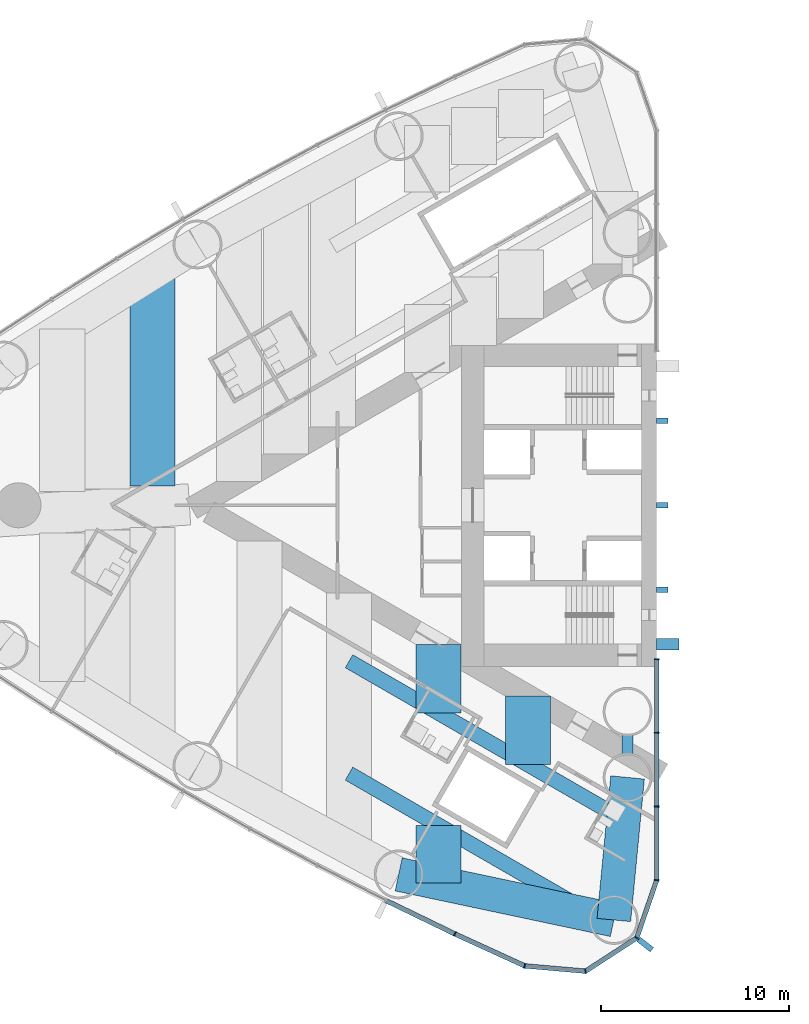
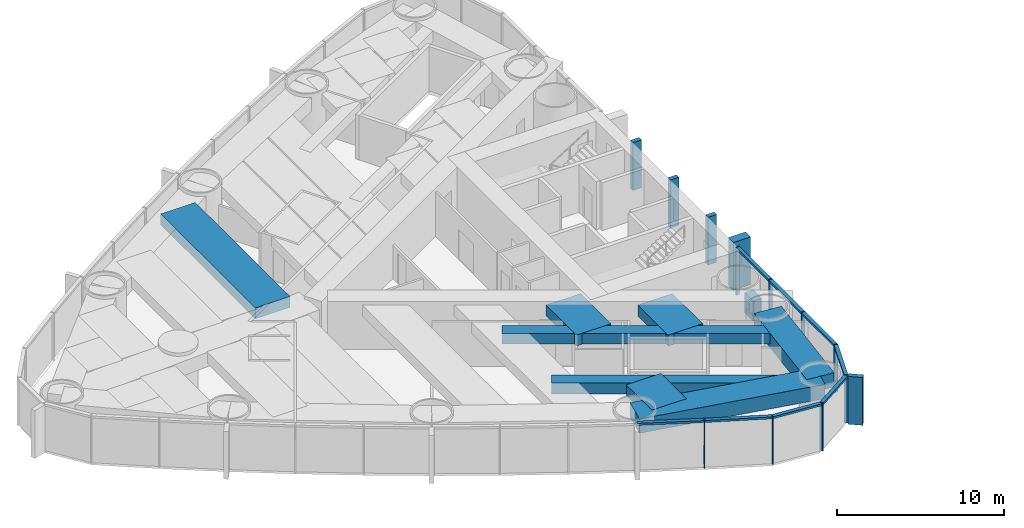
# One storey, part 3 of 19: 21 members, 9 beams, 1 element without a shape of its own.
"""IFC4 building model written with IfcOpenShell, lengths in metres."""

import ifcopenshell
import ifcopenshell.guid

model = None  # the IFC model being written
_history = None  # IfcOwnerHistory: only IFC2X3 demands one
_inside = {}  # id of a spatial element -> (the spatial element, [elements in it])
_under = {}  # id of a project, library or spatial element -> (it, [spatial elements below it])
_declared = {}  # id of a project -> (the project, [libraries it declares])
_typed = {}  # id of a type object -> (the type object, [elements of that type])
_made_of = {}  # id of a material, layer set ... -> (it, [elements and type objects made of it])


def new_model(schema):
    """Start an empty IFC model of exactly this schema.

    Asked for "IFC4X3", IfcOpenShell would pick the latest addendum, in which some entities
    have other attributes; the version numbers below select the first issue.
    IFC2X3 requires an IfcOwnerHistory on every rooted entity: one is made here for all.
    """
    global model, _history
    if schema == "IFC4X3":
        model = ifcopenshell.file(schema_version=(4, 3, 0, 0))
    else:
        model = ifcopenshell.file(schema=schema)
    _inside.clear()
    _under.clear()
    _declared.clear()
    _typed.clear()
    _made_of.clear()
    _history = None
    if model.schema == "IFC2X3":
        org = make("IfcOrganization", Name="unknown")
        user = make(
            "IfcPersonAndOrganization",
            ThePerson=make("IfcPerson", FamilyName="unknown"),
            TheOrganization=org,
        )
        app = make(
            "IfcApplication",
            ApplicationDeveloper=org,
            Version="unknown",
            ApplicationFullName="unknown",
            ApplicationIdentifier="unknown",
        )
        _history = make(
            "IfcOwnerHistory",
            OwningUser=user,
            OwningApplication=app,
            ChangeAction="ADDED",
            CreationDate=0,
        )
    return model


def make(cls, **values):
    """One entity of the class cls with the attributes given. An attribute that is None is left unset."""
    return model.create_entity(
        cls, **{name: value for name, value in values.items() if value is not None}
    )


def rooted(cls, **values):
    """An entity with a GlobalId (a new one), such as an element, a storey or a relation."""
    return make(cls, GlobalId=ifcopenshell.guid.new(), OwnerHistory=_history, **values)


def si_unit(unit_type, name, prefix=None):
    """IfcSIUnit, for example si_unit("LENGTHUNIT", "METRE", prefix="MILLI")."""
    return make("IfcSIUnit", UnitType=unit_type, Prefix=prefix, Name=name)


def assignment(units):
    """IfcUnitAssignment: the units of a project."""
    return None if units is None else make("IfcUnitAssignment", Units=units)


def point(xyz):
    """IfcCartesianPoint."""
    return None if xyz is None else make("IfcCartesianPoint", Coordinates=xyz)


def direction(xyz):
    """IfcDirection."""
    return None if xyz is None else make("IfcDirection", DirectionRatios=xyz)


def frame(location, z_axis=None, x_axis=None):
    """IfcAxis2Placement3D, a coordinate frame: its origin and axes. An axis left out is left unset."""
    return make(
        "IfcAxis2Placement3D",
        Location=point(location),
        Axis=direction(z_axis),
        RefDirection=direction(x_axis),
    )


def frame_2d(location, x_axis=None):
    """IfcAxis2Placement2D, a coordinate frame in the plane: its origin and x axis."""
    return make(
        "IfcAxis2Placement2D", Location=point(location), RefDirection=direction(x_axis)
    )


def origin():
    """The frame at (0, 0, 0) with its axes left unset."""
    return frame((0.0, 0.0, 0.0))


def origin_2d():
    """The frame at (0, 0) in the plane with its x axis left unset."""
    return frame_2d((0.0, 0.0))


def place(relative_to, where):
    """IfcLocalPlacement: puts the frame where relative to a parent placement (None: the world)."""
    return make(
        "IfcLocalPlacement", PlacementRelTo=relative_to, RelativePlacement=where
    )


def context(
    kind, dimensions, precision=None, world=None, true_north=None, identifier=None
):
    """IfcGeometricRepresentationContext, for example the 3D "Model" context."""
    return make(
        "IfcGeometricRepresentationContext",
        ContextIdentifier=identifier,
        ContextType=kind,
        CoordinateSpaceDimension=dimensions,
        Precision=precision,
        WorldCoordinateSystem=world,
        TrueNorth=true_north,
    )


def subcontext(parent, identifier, kind, view, scale=None):
    """IfcGeometricRepresentationSubContext, for example "Body" below "Model"."""
    return make(
        "IfcGeometricRepresentationSubContext",
        ContextIdentifier=identifier,
        ContextType=kind,
        ParentContext=parent,
        TargetScale=scale,
        TargetView=view,
    )


def project(units=None, contexts=None):
    """IfcProject with its units and contexts."""
    return rooted(
        "IfcProject",
        Name="project",
        RepresentationContexts=contexts,
        UnitsInContext=assignment(units),
    )


def spatial(cls, under=None, at=None, **own):
    """A site, building, storey or space (cls), placed at a placement, below another one or the project."""
    s = rooted(cls, ObjectPlacement=at, **own)
    if under is not None:
        _under.setdefault(under.id(), (under, []))[1].append(s)
    return s


def profile(cls, at=None, kind="AREA", **sizes):
    """A parametric profile (cls). Its sizes go by their IFC names, for example OverallWidth=200.0."""
    return make(cls, ProfileType=kind, Position=at, **sizes)


def rectangle(**sizes):
    """IfcRectangleProfileDef."""
    return profile("IfcRectangleProfileDef", **sizes)


def hollow_rectangle(**sizes):
    """IfcRectangleHollowProfileDef."""
    return profile("IfcRectangleHollowProfileDef", **sizes)


def extrude(swept, where, along, depth):
    """IfcExtrudedAreaSolid: the profile swept, set in the frame where, extruded along a direction by depth."""
    return make(
        "IfcExtrudedAreaSolid",
        SweptArea=swept,
        Position=where,
        ExtrudedDirection=direction(along),
        Depth=depth,
    )


def shape(context_of_items, identifier, shape_type, items):
    """IfcShapeRepresentation: the items that make up one representation, for example the "Body"."""
    return make(
        "IfcShapeRepresentation",
        ContextOfItems=context_of_items,
        RepresentationIdentifier=identifier,
        RepresentationType=shape_type,
        Items=items,
    )


def material(Name=None, Category=None):
    """IfcMaterial."""
    return make("IfcMaterial", Name=Name, Category=Category)


def material_profile(
    of_material, cross_section, Name=None, Category=None, Priority=None
):
    """IfcMaterialProfile: a cross section and its material."""
    return make(
        "IfcMaterialProfile",
        Name=Name,
        Material=of_material,
        Profile=cross_section,
        Priority=Priority,
        Category=Category,
    )


def profile_set(profiles, Name=None, composite=None):
    """IfcMaterialProfileSet."""
    return make(
        "IfcMaterialProfileSet",
        Name=Name,
        MaterialProfiles=profiles,
        CompositeProfile=composite,
    )


def made_of(thing, what):
    """Note that an element or type object is made of a material, layer set ...; save() writes the relation."""
    if what is not None:
        _made_of.setdefault(what.id(), (what, []))[1].append(thing)
    return thing


def type_object(cls, material=None, **own):
    """A type object (cls), such as IfcWallType, which elements share."""
    return made_of(rooted(cls, **own), material)


def element(
    cls,
    number,
    at=None,
    inside=None,
    cuts=None,
    type_object=None,
    material=None,
    context=None,
    identifier="Body",
    shape_type=None,
    held_by="IfcProductDefinitionShape",
    body=None,
    shapes=None,
    **own,
):
    """One element of the class cls, such as IfcWall. Its Tag is "e" and its number.

    at: its placement. inside: the storey or other place that contains it. cuts: it is an
    opening in that element (IfcRelVoidsElement). A single representation is given by context,
    identifier, shape_type and body (its items); several are given by shapes. held_by: the class
    of the entity that holds the representations. save() writes the other relations.
    """
    e = rooted(cls, Tag="e%d" % number, ObjectPlacement=at, **own)
    if body is not None:
        shapes = [shape(context, identifier, shape_type, body)]
    if shapes is not None:
        e.Representation = make(held_by, Representations=shapes)
    if inside is not None:
        _inside.setdefault(inside.id(), (inside, []))[1].append(e)
    if cuts is not None:
        rooted(
            "IfcRelVoidsElement", RelatingBuildingElement=cuts, RelatedOpeningElement=e
        )
    if type_object is not None:
        _typed.setdefault(type_object.id(), (type_object, []))[1].append(e)
    return made_of(e, material)


def aggregate(whole, parts):
    """IfcRelAggregates: a whole, such as a stair, and the parts it consists of."""
    return rooted("IfcRelAggregates", RelatingObject=whole, RelatedObjects=parts)


def save(model, path):
    """Write the relations noted so far, then the file.

    IfcRelAggregates (storeys below a building ...), IfcRelContainedInSpatialStructure (elements
    in a storey), IfcRelDefinesByType, IfcRelAssociatesMaterial and IfcRelDeclares: one each for
    every whole, place, type object, material and project.
    """
    for whole, parts in _under.values():
        aggregate(whole, parts)
    for where, things in _inside.values():
        rooted(
            "IfcRelContainedInSpatialStructure",
            RelatedElements=things,
            RelatingStructure=where,
        )
    for kind, things in _typed.values():
        rooted("IfcRelDefinesByType", RelatedObjects=things, RelatingType=kind)
    for what, things in _made_of.values():
        rooted("IfcRelAssociatesMaterial", RelatedObjects=things, RelatingMaterial=what)
    for by, libraries in _declared.values():
        rooted("IfcRelDeclares", RelatingContext=by, RelatedDefinitions=libraries)
    model.write(path)


model = new_model("IFC4")

# Units and contexts
model_context = context("Model", 3, precision=1e-05, world=origin(), true_north=direction((0.0, 1.0)))
body_context = subcontext(model_context, "Body", "Model", "MODEL_VIEW")
ifc_project = project(units=[si_unit("LENGTHUNIT", "METRE"), si_unit("AREAUNIT", "SQUARE_METRE"), si_unit("VOLUMEUNIT", "CUBIC_METRE"), si_unit("PLANEANGLEUNIT", "RADIAN"), si_unit("MASSUNIT", "GRAM", prefix="KILO")], contexts=[model_context])

# Site, building, storey
site_placement = place(None, origin())
site = spatial("IfcSite", under=ifc_project, at=site_placement, CompositionType="ELEMENT")
building_placement = place(site_placement, origin())
building = spatial("IfcBuilding", under=site, at=building_placement, Name="Lancet Gate Hotel", CompositionType="ELEMENT")
storey_placement = place(building_placement, frame((0.0, 0.0, 111.60009765625)))
storey = spatial("IfcBuildingStorey", under=building, at=storey_placement, Name="L29", CompositionType="ELEMENT", Elevation=111.60009765625)

# Curtain wall, members
ifc_material_1 = material(Name="Aluminium curtain wall", Category="aluminium")
curtain_wall_type = type_object("IfcCurtainWallType", Name="Tower unitised curtain wall", PredefinedType="USERDEFINED", material=ifc_material_1)
curtain_wall_placement = place(storey_placement, origin())
curtain_wall = element("IfcCurtainWall", 1, at=curtain_wall_placement, inside=storey, type_object=curtain_wall_type, Name="T1 L29 curtain wall 1", ObjectType="UNITISED CURTAIN WALL", PredefinedType="USERDEFINED")
ifc_material_2 = material(Name="Aluminium mullion", Category="aluminium")
ifc_material_profile_1 = material_profile(ifc_material_2, rectangle(XDim=0.06494140625, YDim=0.25, at=origin_2d()), Name="MULLION 65x250")
ifc_profile_set_1 = profile_set([ifc_material_profile_1], Name="Aluminium mullion")
member_type_1 = type_object("IfcMemberType", Name="Aluminium mullion 65x250", PredefinedType="MULLION", material=ifc_profile_set_1)
member_1_placement = place(storey_placement, frame((-38.25244140625, -22.83642578125, 0.0), z_axis=(0.0, 0.0, 1.0), x_axis=(0.904719609771, -0.426007544178, 0.0)))
member_1 = element("IfcMember", 2, at=member_1_placement, type_object=member_type_1, Name="T1 L29 curtain wall 1 mullion 29", PredefinedType="MULLION", context=body_context, shape_type="SweptSolid", body=[
    extrude(rectangle(XDim=0.06494140625, YDim=0.25, at=origin_2d()), origin(), (0.0, 0.0, 1.0), 3.5),
])
member_2_placement = place(storey_placement, frame((-34.5322265625, -24.53955078125, 0.0), z_axis=(0.0, 0.0, 1.0), x_axis=(0.961653318232, -0.27426792655, 0.0)))
member_2 = element("IfcMember", 3, at=member_2_placement, type_object=member_type_1, Name="T1 L29 curtain wall 1 mullion 30", PredefinedType="MULLION", context=body_context, shape_type="SweptSolid", body=[
    extrude(rectangle(XDim=0.06494140625, YDim=0.25, at=origin_2d()), origin(), (0.0, 0.0, 1.0), 3.5),
])
member_3_placement = place(storey_placement, frame((-31.289306640625, -24.822265625, 0.0), z_axis=(0.0, 0.0, 1.0), x_axis=(0.970242142288, 0.242136707934, 0.0)))
member_3 = element("IfcMember", 4, at=member_3_placement, type_object=member_type_1, Name="T1 L29 curtain wall 1 mullion 31", PredefinedType="MULLION", context=body_context, shape_type="SweptSolid", body=[
    extrude(rectangle(XDim=0.06494140625, YDim=0.25, at=origin_2d()), origin(), (0.0, 0.0, 1.0), 3.5),
])
member_4_placement = place(storey_placement, frame((-28.5595703125, -23.049072265625, 0.0), z_axis=(0.0, 0.0, 1.0), x_axis=(0.615574240878, 0.788078900851, 0.0)))
member_4 = element("IfcMember", 5, at=member_4_placement, type_object=member_type_1, Name="T1 L29 curtain wall 1 mullion 32", PredefinedType="MULLION", context=body_context, shape_type="SweptSolid", body=[
    extrude(rectangle(XDim=0.06494140625, YDim=0.25, at=origin_2d()), origin(), (0.0, 0.0, 1.0), 3.5),
])
member_5_placement = place(storey_placement, frame((-27.5, -19.97119140625, 0.0), z_axis=(0.0, 0.0, 1.0), x_axis=(0.149634446211, 0.988741388082, 0.0)))
member_5 = element("IfcMember", 6, at=member_5_placement, type_object=member_type_1, Name="T1 L29 curtain wall 1 mullion 33", PredefinedType="MULLION", context=body_context, shape_type="SweptSolid", body=[
    extrude(rectangle(XDim=0.06494140625, YDim=0.25, at=origin_2d()), origin(), (0.0, 0.0, 1.0), 3.5),
])
member_6_placement = place(storey_placement, frame((-27.5, -16.04736328125, 0.0), z_axis=(0.0, 0.0, 1.0), x_axis=(0.0, 1.0, 0.0)))
member_6 = element("IfcMember", 7, at=member_6_placement, type_object=member_type_1, Name="T1 L29 curtain wall 1 mullion 34", PredefinedType="MULLION", context=body_context, shape_type="SweptSolid", body=[
    extrude(rectangle(XDim=0.06494140625, YDim=0.25, at=origin_2d()), origin(), (0.0, 0.0, 1.0), 3.5),
])
member_7_placement = place(storey_placement, frame((-27.5, -12.123779296875, 0.0), z_axis=(0.0, 0.0, 1.0), x_axis=(0.0, 1.0, 0.0)))
member_7 = element("IfcMember", 8, at=member_7_placement, type_object=member_type_1, Name="T1 L29 curtain wall 1 mullion 35", PredefinedType="MULLION", context=body_context, shape_type="SweptSolid", body=[
    extrude(rectangle(XDim=0.06494140625, YDim=0.25, at=origin_2d()), origin(), (0.0, 0.0, 1.0), 3.5),
])
member_8_placement = place(storey_placement, frame((-27.5, -8.199951171875, 0.0), z_axis=(0.0, 0.0, 1.0), x_axis=(0.0, 1.0, 0.0)))
member_8 = element("IfcMember", 9, at=member_8_placement, type_object=member_type_1, Name="T1 L29 curtain wall 1 mullion 36", PredefinedType="MULLION", context=body_context, shape_type="SweptSolid", body=[
    extrude(rectangle(XDim=0.06494140625, YDim=0.25, at=origin_2d()), origin(), (0.0, 0.0, 1.0), 3.5),
])
ifc_material_3 = material(Name="Aluminium transom", Category="aluminium")
ifc_material_profile_2 = material_profile(ifc_material_3, rectangle(XDim=0.25, YDim=0.14990234375, at=origin_2d()), Name="TRANSOM 250x150")
ifc_profile_set_2 = profile_set([ifc_material_profile_2], Name="Aluminium transom")
member_type_2 = type_object("IfcMemberType", Name="Aluminium transom 250x150", PredefinedType="USERDEFINED", material=ifc_profile_set_2)
member_9_placement = place(storey_placement, frame((-41.906005859375, -21.067626953125, 3.4248046875), z_axis=(0.900065677074, -0.435754262117, 0.0), x_axis=(0.435754262117, 0.900065677074, 0.0)))
member_9 = element("IfcMember", 10, at=member_9_placement, type_object=member_type_2, Name="T1 L29 curtain wall 1 transom 28", ObjectType="TRANSOM", PredefinedType="USERDEFINED", context=body_context, shape_type="SweptSolid", body=[
    extrude(rectangle(XDim=0.25, YDim=0.14990234375, at=origin_2d()), origin(), (0.0, 0.0, 1.0), 4.026611328125),
])
member_10_placement = place(storey_placement, frame((-38.222900390625, -22.849853515625, 3.4248046875), z_axis=(0.909252284196, -0.416245460857, 0.0), x_axis=(0.416245460857, 0.909252284196, 0.0)))
member_10 = element("IfcMember", 11, at=member_10_placement, type_object=member_type_2, Name="T1 L29 curtain wall 1 transom 29", ObjectType="TRANSOM", PredefinedType="USERDEFINED", context=body_context, shape_type="SweptSolid", body=[
    extrude(rectangle(XDim=0.25, YDim=0.14990234375, at=origin_2d()), origin(), (0.0, 0.0, 1.0), 4.026611328125),
])
member_11_placement = place(storey_placement, frame((-34.499755859375, -24.542236328125, 3.4248046875), z_axis=(0.996213545522, -0.086940046686, 0.0), x_axis=(0.086940046686, 0.996213545522, 0.0)))
member_11 = element("IfcMember", 12, at=member_11_placement, type_object=member_type_2, Name="T1 L29 curtain wall 1 transom 30", ObjectType="TRANSOM", PredefinedType="USERDEFINED", context=body_context, shape_type="SweptSolid", body=[
    extrude(rectangle(XDim=0.25, YDim=0.14990234375, at=origin_2d()), origin(), (0.0, 0.0, 1.0), 3.18994140625),
])
member_12_placement = place(storey_placement, frame((-31.261962890625, -24.8046875, 3.4248046875), z_axis=(0.838550259452, 0.544824249068, 0.0), x_axis=(-0.544824249068, 0.838550259452, 0.0)))
member_12 = element("IfcMember", 13, at=member_12_placement, type_object=member_type_2, Name="T1 L29 curtain wall 1 transom 31", ObjectType="TRANSOM", PredefinedType="USERDEFINED", context=body_context, shape_type="SweptSolid", body=[
    extrude(rectangle(XDim=0.25, YDim=0.14990234375, at=origin_2d()), origin(), (0.0, 0.0, 1.0), 3.190185546875),
])
member_13_placement = place(storey_placement, frame((-28.549072265625, -23.018310546875, 3.4248046875), z_axis=(0.32553312754, 0.945530635609, 0.0), x_axis=(-0.945530635609, 0.32553312754, 0.0)))
member_13 = element("IfcMember", 14, at=member_13_placement, type_object=member_type_2, Name="T1 L29 curtain wall 1 transom 32", ObjectType="TRANSOM", PredefinedType="USERDEFINED", context=body_context, shape_type="SweptSolid", body=[
    extrude(rectangle(XDim=0.25, YDim=0.14990234375, at=origin_2d()), origin(), (0.0, 0.0, 1.0), 3.1904296875),
])
member_14_placement = place(storey_placement, frame((-27.5, -19.9384765625, 3.4248046875), z_axis=(0.0, 1.0, 0.0), x_axis=(-1.0, 0.0, 0.0)))
member_14 = element("IfcMember", 15, at=member_14_placement, type_object=member_type_2, Name="T1 L29 curtain wall 1 transom 33", ObjectType="TRANSOM", PredefinedType="USERDEFINED", context=body_context, shape_type="SweptSolid", body=[
    extrude(rectangle(XDim=0.25, YDim=0.14990234375, at=origin_2d()), origin(), (0.0, 0.0, 1.0), 3.858642578125),
])
member_15_placement = place(storey_placement, frame((-27.5, -16.014892578125, 3.4248046875), z_axis=(0.0, 1.0, 0.0), x_axis=(-1.0, 0.0, 0.0)))
member_15 = element("IfcMember", 16, at=member_15_placement, type_object=member_type_2, Name="T1 L29 curtain wall 1 transom 34", ObjectType="TRANSOM", PredefinedType="USERDEFINED", context=body_context, shape_type="SweptSolid", body=[
    extrude(rectangle(XDim=0.25, YDim=0.14990234375, at=origin_2d()), origin(), (0.0, 0.0, 1.0), 3.858642578125),
])
member_16_placement = place(storey_placement, frame((-27.5, -12.09130859375, 3.4248046875), z_axis=(0.0, 1.0, 0.0), x_axis=(-1.0, 0.0, 0.0)))
member_16 = element("IfcMember", 17, at=member_16_placement, type_object=member_type_2, Name="T1 L29 curtain wall 1 transom 35", ObjectType="TRANSOM", PredefinedType="USERDEFINED", context=body_context, shape_type="SweptSolid", body=[
    extrude(rectangle(XDim=0.25, YDim=0.14990234375, at=origin_2d()), origin(), (0.0, 0.0, 1.0), 3.85888671875),
])

# Beams
ifc_material_4 = material(Name="Concrete C50/60", Category="concrete")
ifc_material_profile_3 = material_profile(ifc_material_4, rectangle(XDim=1.800048828125, YDim=1.050048828125, at=origin_2d()), Name="RC 1800x1050")
ifc_profile_set_3 = profile_set([ifc_material_profile_3], Name="Concrete C50/60")
beam_type_1 = type_object("IfcBeamType", Name="Edge beam RC 1800x1050", PredefinedType="SPANDREL", material=ifc_profile_set_3)
beam_1_placement = place(storey_placement, frame((-41.244873046875, -19.665771484375, 2.724853515625), z_axis=(0.978282156247, -0.207277646573, 0.0), x_axis=(0.207277646573, 0.978282156247, 0.0)))
element("IfcBeam", 18, at=beam_1_placement, inside=storey, type_object=beam_type_1, Name="T1 edge beam EB1 L29", PredefinedType="SPANDREL", context=body_context, shape_type="SweptSolid", body=[
    extrude(rectangle(XDim=1.800048828125, YDim=1.050048828125, at=origin_2d()), origin(), (0.0, 0.0, 1.0), 11.71826171875),
])
beam_2_placement = place(storey_placement, frame((-29.050048828125, -14.5, 2.724853515625), z_axis=(-0.095802643786, -0.995400348324, 0.0), x_axis=(0.995400348324, -0.095802643786, 0.0)))
element("IfcBeam", 19, at=beam_2_placement, inside=storey, type_object=beam_type_1, Name="T1 edge beam EB1 L29", PredefinedType="SPANDREL", context=body_context, shape_type="SweptSolid", body=[
    extrude(rectangle(XDim=1.800048828125, YDim=1.050048828125, at=origin_2d()), origin(), (0.0, 0.0, 1.0), 7.6298828125),
])

# Member
ifc_material_5 = material(Name="Concrete C60/75", Category="concrete")
ifc_material_profile_4 = material_profile(ifc_material_5, rectangle(XDim=0.60009765625, YDim=1.199951171875, at=origin_2d()), Name="FIN 600x1200")
ifc_profile_set_4 = profile_set([ifc_material_profile_4], Name="Concrete C60/75")
member_type_3 = type_object("IfcMemberType", Name="Exposed concrete buttress pilaster 600x1200", PredefinedType="USERDEFINED", material=ifc_profile_set_4)
member_17_placement = place(storey_placement, frame((-26.909912109375, -7.39990234375, 0.0), z_axis=(0.0, 0.0, 1.0), x_axis=(0.0, 1.0, 0.0)))
element("IfcMember", 20, at=member_17_placement, inside=storey, type_object=member_type_3, Name="T1 buttress pilaster N L29", ObjectType="FIN", PredefinedType="USERDEFINED", context=body_context, shape_type="SweptSolid", body=[
    extrude(rectangle(XDim=0.60009765625, YDim=1.199951171875, at=origin_2d()), origin(), (0.0, 0.0, 1.0), 3.5),
])

ifc_material_6 = material(Name="Precast concrete C50/60", Category="concrete")
ifc_material_profile_5 = material_profile(ifc_material_6, rectangle(XDim=0.300048828125, YDim=0.89990234375, at=origin_2d()), Name="FIN 300x900")
ifc_profile_set_5 = profile_set([ifc_material_profile_5], Name="Precast concrete C50/60")
member_type_4 = type_object("IfcMemberType", Name="Exposed concrete fin 300x900", PredefinedType="USERDEFINED", material=ifc_profile_set_5)
member_18_placement = place(storey_placement, frame((-28.1064453125, -23.40283203125, 0.0), z_axis=(0.0, 0.0, 1.0), x_axis=(0.615574240878, 0.788078900851, 0.0)))
member_18 = element("IfcMember", 21, at=member_18_placement, type_object=member_type_4, Name="T1 L29 curtain wall 1 fin 32", ObjectType="FIN", PredefinedType="USERDEFINED", context=body_context, shape_type="SweptSolid", body=[
    extrude(rectangle(XDim=0.300048828125, YDim=0.89990234375, at=origin_2d()), origin(), (0.0, 0.0, 1.0), 3.5),
])

aggregate(curtain_wall, [member_1, member_2, member_3, member_4, member_18, member_5, member_6, member_7, member_8, member_9, member_10, member_11, member_12, member_13, member_14, member_15, member_16])

# Members
ifc_material_7 = material(Name="Concrete C60/75", Category="concrete")
ifc_material_profile_6 = material_profile(ifc_material_7, rectangle(XDim=0.300048828125, YDim=0.60009765625, at=origin_2d()), Name="FIN 300x600")
ifc_profile_set_6 = profile_set([ifc_material_profile_6], Name="Concrete C60/75")
member_type_5 = type_object("IfcMemberType", Name="Exposed concrete rib 300x600", PredefinedType="USERDEFINED", material=ifc_profile_set_6)
for number, where, z_axis, x_axis, name in (
    (22, (-27.2099609375, 4.5, 0.0), (0.0, 0.0, 1.0), (0.0, 1.0, 0.0), "T1 core rib 1 L29"),
    (23, (-27.2099609375, 0.0, 0.0), (0.0, 0.0, 1.0), (0.0, 1.0, 0.0), "T1 core rib 2 L29"),
    (24, (-27.2099609375, -4.5, 0.0), (0.0, 0.0, 1.0), (0.0, 1.0, 0.0), "T1 core rib 3 L29"),
):
    element("IfcMember", number, at=place(storey_placement, frame(where, z_axis=z_axis, x_axis=x_axis)), inside=storey, type_object=member_type_5, Name=name, ObjectType="FIN", PredefinedType="USERDEFINED", context=body_context, shape_type="SweptSolid", body=[
        extrude(rectangle(XDim=0.300048828125, YDim=0.60009765625, at=origin_2d()), origin(), (0.0, 0.0, 1.0), 3.5),
    ])

# Beams
ifc_material_8 = material(Name="Concrete C50/60", Category="concrete")
ifc_material_profile_7 = material_profile(ifc_material_8, rectangle(XDim=2.39990234375, YDim=0.800048828125, at=origin_2d()), Name="RC 2400x800")
ifc_profile_set_7 = profile_set([ifc_material_profile_7], Name="Concrete C50/60")
beam_type_2 = type_object("IfcBeamType", Name="Floor beam RC 2400x800", PredefinedType="BEAM", material=ifc_profile_set_7)
beam_3_placement = place(storey_placement, frame((-54.3681640625, 12.392333984375, 2.849853515625), z_axis=(0.0, -1.0, 0.0), x_axis=(1.0, 0.0, 0.0)))
element("IfcBeam", 25, at=beam_3_placement, inside=storey, type_object=beam_type_2, Name="T1 floor beam F13S L29", PredefinedType="BEAM", context=body_context, shape_type="SweptSolid", body=[
    extrude(rectangle(XDim=2.39990234375, YDim=0.800048828125, at=origin_2d()), origin(), (0.0, 0.0, 1.0), 11.364990234375),
])
beam_4_placement = place(storey_placement, frame((-34.353515625, -10.169921875, 2.849853515625), z_axis=(0.0, -1.0, 0.0), x_axis=(1.0, 0.0, 0.0)))
element("IfcBeam", 26, at=beam_4_placement, inside=storey, type_object=beam_type_2, Name="T1 floor beam F03NA L29", PredefinedType="BEAM", context=body_context, shape_type="SweptSolid", body=[
    extrude(rectangle(XDim=2.39990234375, YDim=0.800048828125, at=origin_2d()), origin(), (0.0, 0.0, 1.0), 3.645751953125),
])
beam_5_placement = place(storey_placement, frame((-39.122314453125, -7.41650390625, 2.849853515625), z_axis=(0.0, -1.0, 0.0), x_axis=(1.0, 0.0, 0.0)))
element("IfcBeam", 27, at=beam_5_placement, inside=storey, type_object=beam_type_2, Name="T1 floor beam F06NA L29", PredefinedType="BEAM", context=body_context, shape_type="SweptSolid", body=[
    extrude(rectangle(XDim=2.39990234375, YDim=0.800048828125, at=origin_2d()), origin(), (0.0, 0.0, 1.0), 3.64599609375),
])
beam_6_placement = place(storey_placement, frame((-39.122314453125, -17.0498046875, 2.849853515625), z_axis=(0.0, -1.0, 0.0), x_axis=(1.0, 0.0, 0.0)))
element("IfcBeam", 28, at=beam_6_placement, inside=storey, type_object=beam_type_2, Name="T1 floor beam F06NB L29", PredefinedType="BEAM", context=body_context, shape_type="SweptSolid", body=[
    extrude(rectangle(XDim=2.39990234375, YDim=0.800048828125, at=origin_2d()), origin(), (0.0, 0.0, 1.0), 3.065673828125),
])
ifc_material_9 = material(Name="Steel S460QL", Category="steel")
ifc_material_profile_8 = material_profile(ifc_material_9, hollow_rectangle(XDim=0.60009765625, YDim=1.5, WallThickness=0.050048828125, at=origin_2d()), Name="BOX 1500x600x50")
ifc_profile_set_8 = profile_set([ifc_material_profile_8], Name="Steel S460QL")
beam_type_3 = type_object("IfcBeamType", Name="Inner-face link beam BOX 1500x600x50", PredefinedType="BEAM", material=ifc_profile_set_8)
beam_7_placement = place(storey_placement, frame((-29.050048828125, -12.25, 2.5), z_axis=(0.0, -1.0, 0.0), x_axis=(1.0, 0.0, 0.0)))
element("IfcBeam", 29, at=beam_7_placement, inside=storey, type_object=beam_type_3, Name="T1 inner-face link beam LK1 L29", PredefinedType="BEAM", context=body_context, shape_type="SweptSolid", body=[
    extrude(hollow_rectangle(XDim=0.60009765625, YDim=1.5, WallThickness=0.050048828125, at=origin_2d()), origin(), (0.0, 0.0, 1.0), 1.0),
])
ifc_material_10 = material(Name="Steel S460QL", Category="steel")
ifc_material_profile_9 = material_profile(ifc_material_10, hollow_rectangle(XDim=0.800048828125, YDim=0.800048828125, WallThickness=0.080078125, at=origin_2d()), Name="BOX 800x800x80")
ifc_profile_set_9 = profile_set([ifc_material_profile_9], Name="Steel S460QL")
beam_type_4 = type_object("IfcBeamType", Name="Trimmer beam BOX 800x800x80", PredefinedType="BEAM", material=ifc_profile_set_9)
beam_8_placement = place(storey_placement, frame((-29.58447265625, -16.56884765625, 2.849853515625), z_axis=(-0.866040141834, 0.49997447208, 0.0), x_axis=(-0.49997447208, -0.866040141834, 0.0)))
element("IfcBeam", 30, at=beam_8_placement, inside=storey, type_object=beam_type_4, Name="T1 trimmer beam TR01N L29", PredefinedType="BEAM", context=body_context, shape_type="SweptSolid", body=[
    extrude(hollow_rectangle(XDim=0.800048828125, YDim=0.800048828125, WallThickness=0.080078125, at=origin_2d()), origin(), (0.0, 0.0, 1.0), 16.519775390625),
])
beam_9_placement = place(storey_placement, frame((-30.982421875, -21.7490234375, 2.849853515625), z_axis=(-0.866042392862, 0.4999705729, 0.0), x_axis=(-0.4999705729, -0.866042392862, 0.0)))
element("IfcBeam", 31, at=beam_9_placement, inside=storey, type_object=beam_type_4, Name="T1 trimmer beam TR03N L29", PredefinedType="BEAM", context=body_context, shape_type="SweptSolid", body=[
    extrude(hollow_rectangle(XDim=0.800048828125, YDim=0.800048828125, WallThickness=0.080078125, at=origin_2d()), origin(), (0.0, 0.0, 1.0), 14.90576171875),
])

save(model, "model.ifc")
